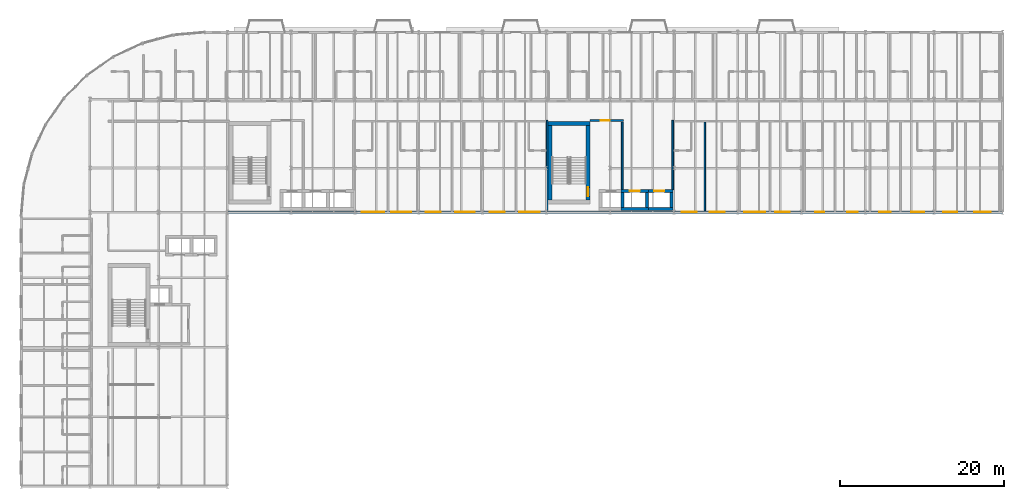
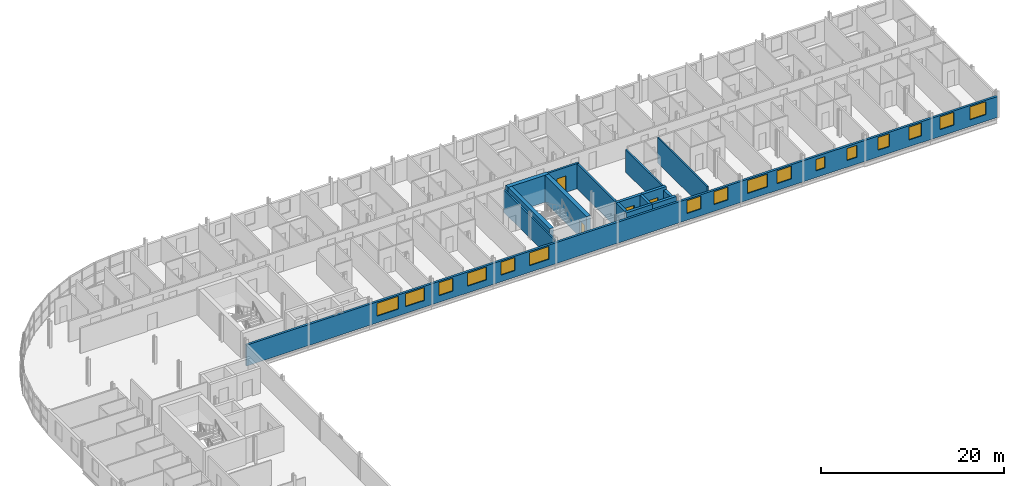
# One storey, part 25 of 36: 16 walls, 16 windows, 4 doors, 20 openings.
"""IFC4 building model written with IfcOpenShell, lengths in metres."""

from ifc_helpers import new_model, si_unit, direction, frame, frame_2d, origin, place, context, subcontext, project, spatial, rectangle, extrude, material, layer, layer_set, type_object, element, fill, save


model = new_model("IFC4")

# Units and contexts
model_context = context("Model", 3, precision=1e-05, world=origin(), true_north=direction((0.0, 1.0)))
body_context = subcontext(model_context, "Body", "Model", "MODEL_VIEW")
ifc_project = project(units=[si_unit("LENGTHUNIT", "METRE"), si_unit("AREAUNIT", "SQUARE_METRE"), si_unit("VOLUMEUNIT", "CUBIC_METRE"), si_unit("PLANEANGLEUNIT", "RADIAN"), si_unit("MASSUNIT", "GRAM", prefix="KILO")], contexts=[model_context])

# Site, building, storey
site_placement = place(None, origin())
site = spatial("IfcSite", under=ifc_project, at=site_placement, CompositionType="ELEMENT")
building_placement = place(site_placement, origin())
building = spatial("IfcBuilding", under=site, at=building_placement, Name="Sefraquen Railside Congress Hotel", CompositionType="ELEMENT")
storey_placement = place(building_placement, frame((0.0, 0.0, 28.199951171875)))
storey = spatial("IfcBuildingStorey", under=building, at=storey_placement, Name="L06", CompositionType="ELEMENT", Elevation=28.199951171875)

# Wall, opening, door
ifc_material_1 = material(Name="Concrete C50/60", Category="concrete")
ifc_layer_1 = layer(ifc_material_1, 0.35009765625)
ifc_layer_set_1 = layer_set([ifc_layer_1], Name="Concrete C50/60")
wall_type_1 = type_object("IfcWallType", Name="TW-CW-350", PredefinedType="SHEAR", material=ifc_layer_set_1)
wall_1_placement = place(storey_placement, frame((73.330078125, 98.594970703125, 0.0), z_axis=(0.0, 0.0, 1.0), x_axis=(1.0, 0.0, 0.0)))
wall_1 = element("IfcWall", 1, at=wall_1_placement, inside=storey, type_object=wall_type_1, Name="Lift PL-05 shaft wall N L06", PredefinedType="SHEAR", context=body_context, shape_type="SweptSolid", body=[
    extrude(rectangle(XDim=3.33984375, YDim=0.35009765625, at=frame_2d((1.669921875, 0.0))), origin(), (0.0, 0.0, 1.0), 3.360107421875),
])
opening_1_placement = place(wall_1_placement, frame((1.044921875, 0.0, 0.0)))
opening_1 = element("IfcOpeningElement", 2, at=opening_1_placement, cuts=wall_1, Name="Opening LD-02", PredefinedType="OPENING", context=body_context, shape_type="SweptSolid", body=[
    extrude(rectangle(XDim=1.25, YDim=2.25, at=frame_2d((0.625, 1.125))), frame((0.0, 0.18505859375, 0.0), z_axis=(0.0, -1.0, 0.0), x_axis=(1.0, 0.0, 0.0)), (0.0, 0.0, 1.0), 0.3701171875),
])
ifc_material_2 = material(Name="Brushed stainless steel", Category="steel")
door_type_1 = type_object("IfcDoorType", Name="TD-LD-02", OperationType="NOTDEFINED", PredefinedType="DOOR", material=ifc_material_2)
door_1_placement = place(opening_1_placement, origin())
door_1 = element("IfcDoor", 3, at=door_1_placement, inside=storey, type_object=door_type_1, Name="Lift landing door PL-05 L06", OperationType="SLIDING_TO_LEFT", OverallHeight=2.25, OverallWidth=1.25, PredefinedType="DOOR", context=body_context, shape_type="SweptSolid", body=[
    extrude(rectangle(XDim=1.25, YDim=2.25, at=frame_2d((0.625, 1.125))), frame((0.0, 0.02490234375, 0.0), z_axis=(0.0, -1.0, 0.0), x_axis=(1.0, 0.0, 0.0)), (0.0, 0.0, 1.0), 0.050048828125),
])
fill(opening_1, door_1)

# Walls
wall_2_placement = place(storey_placement, frame((73.330078125, 96.405029296875, 0.0), z_axis=(0.0, 0.0, 1.0), x_axis=(1.0, 0.0, 0.0)))
element("IfcWall", 4, at=wall_2_placement, inside=storey, type_object=wall_type_1, Name="Lift PL-05 shaft wall S L06", PredefinedType="SHEAR", context=body_context, shape_type="SweptSolid", body=[
    extrude(rectangle(XDim=3.33984375, YDim=0.35009765625, at=frame_2d((1.669921875, 0.0))), origin(), (0.0, 0.0, 1.0), 3.360107421875),
])
for number, where, z_axis, x_axis, name in (
    (5, (73.5048828125, 96.580078125, 0.0), (0.0, 0.0, 1.0), (0.0, 1.0, 0.0), "Lift PL-05 shaft wall W L06"),
    (6, (76.4951171875, 96.580078125, 0.0), (0.0, 0.0, 1.0), (0.0, 1.0, 0.0), "Lift PL-05 shaft wall E L06"),
):
    element("IfcWall", number, at=place(storey_placement, frame(where, z_axis=z_axis, x_axis=x_axis)), inside=storey, type_object=wall_type_1, Name=name, PredefinedType="SHEAR", context=body_context, shape_type="SweptSolid", body=[
        extrude(rectangle(XDim=1.83984375, YDim=0.35009765625, at=frame_2d((0.919921875, 0.0))), origin(), (0.0, 0.0, 1.0), 3.360107421875),
    ])

# Wall, opening, door
wall_3_placement = place(storey_placement, frame((76.669921875, 98.594970703125, 0.0), z_axis=(0.0, 0.0, 1.0), x_axis=(1.0, 0.0, 0.0)))
wall_3 = element("IfcWall", 7, at=wall_3_placement, inside=storey, type_object=wall_type_1, Name="Lift PL-06 shaft wall N L06", PredefinedType="SHEAR", context=body_context, shape_type="SweptSolid", body=[
    extrude(rectangle(XDim=2.989990234375, YDim=0.35009765625, at=frame_2d((1.4951171875, 0.0))), origin(), (0.0, 0.0, 1.0), 3.360107421875),
])
opening_2_placement = place(wall_3_placement, frame((0.695068359375, 0.0, 0.0)))
opening_2 = element("IfcOpeningElement", 8, at=opening_2_placement, cuts=wall_3, Name="Opening LD-02", PredefinedType="OPENING", context=body_context, shape_type="SweptSolid", body=[
    extrude(rectangle(XDim=1.25, YDim=2.25, at=frame_2d((0.625, 1.125))), frame((0.0, 0.18505859375, 0.0), z_axis=(0.0, -1.0, 0.0), x_axis=(1.0, 0.0, 0.0)), (0.0, 0.0, 1.0), 0.3701171875),
])
door_2_placement = place(opening_2_placement, origin())
door_2 = element("IfcDoor", 9, at=door_2_placement, inside=storey, type_object=door_type_1, Name="Lift landing door PL-06 L06", OperationType="SLIDING_TO_LEFT", OverallHeight=2.25, OverallWidth=1.25, PredefinedType="DOOR", context=body_context, shape_type="SweptSolid", body=[
    extrude(rectangle(XDim=1.25, YDim=2.25, at=frame_2d((0.625, 1.125))), frame((0.0, 0.02490234375, 0.0), z_axis=(0.0, -1.0, 0.0), x_axis=(1.0, 0.0, 0.0)), (0.0, 0.0, 1.0), 0.050048828125),
])
fill(opening_2, door_2)

# Walls
wall_4_placement = place(storey_placement, frame((76.669921875, 96.405029296875, 0.0), z_axis=(0.0, 0.0, 1.0), x_axis=(1.0, 0.0, 0.0)))
element("IfcWall", 10, at=wall_4_placement, inside=storey, type_object=wall_type_1, Name="Lift PL-06 shaft wall S L06", PredefinedType="SHEAR", context=body_context, shape_type="SweptSolid", body=[
    extrude(rectangle(XDim=2.989990234375, YDim=0.35009765625, at=frame_2d((1.4951171875, 0.0))), origin(), (0.0, 0.0, 1.0), 3.360107421875),
])
wall_5_placement = place(storey_placement, frame((79.485107421875, 96.580078125, 0.0), z_axis=(0.0, 0.0, 1.0), x_axis=(0.0, 1.0, 0.0)))
element("IfcWall", 11, at=wall_5_placement, inside=storey, type_object=wall_type_1, Name="Lift PL-06 shaft wall E L06", PredefinedType="SHEAR", context=body_context, shape_type="SweptSolid", body=[
    extrude(rectangle(XDim=1.83984375, YDim=0.35009765625, at=frame_2d((0.919921875, 0.0))), origin(), (0.0, 0.0, 1.0), 2.989990234375),
])
ifc_layer_2 = layer(ifc_material_1, 0.5)
ifc_layer_set_2 = layer_set([ifc_layer_2], Name="Concrete C50/60")
wall_type_2 = type_object("IfcWallType", Name="TW-CW-500", PredefinedType="SHEAR", material=ifc_layer_set_2)
wall_6_placement = place(storey_placement, frame((64.39990234375, 106.862060546875, 0.0), z_axis=(0.0, 0.0, 1.0), x_axis=(1.0, 0.0, 0.0)))
element("IfcWall", 12, at=wall_6_placement, inside=storey, type_object=wall_type_2, Name="Core shear wall ST-H03 N L06", PredefinedType="SHEAR", context=body_context, shape_type="SweptSolid", body=[
    extrude(rectangle(XDim=5.16015625, YDim=0.5, at=frame_2d((2.580078125, 0.0))), origin(), (0.0, 0.0, 1.0), 3.60009765625),
])
wall_7_placement = place(storey_placement, frame((64.64990234375, 97.5, 0.0), z_axis=(0.0, 0.0, 1.0), x_axis=(0.0, 1.0, 0.0)))
element("IfcWall", 13, at=wall_7_placement, inside=storey, type_object=wall_type_2, Name="Core shear wall ST-H03 W L06", PredefinedType="SHEAR", context=body_context, shape_type="SweptSolid", body=[
    extrude(rectangle(XDim=9.112060546875, YDim=0.5, at=frame_2d((4.55615234375, 0.0))), origin(), (0.0, 0.0, 1.0), 3.60009765625),
])

# Wall, opening, door
wall_8_placement = place(storey_placement, frame((69.31005859375, 97.5, 0.0), z_axis=(0.0, 0.0, 1.0), x_axis=(0.0, 1.0, 0.0)))
wall_8 = element("IfcWall", 14, at=wall_8_placement, inside=storey, type_object=wall_type_2, Name="Core shear wall ST-H03 E L06", PredefinedType="SHEAR", context=body_context, shape_type="SweptSolid", body=[
    extrude(rectangle(XDim=9.112060546875, YDim=0.5, at=frame_2d((4.55615234375, 0.0))), origin(), (0.0, 0.0, 1.0), 3.60009765625),
])
opening_3_placement = place(wall_8_placement, frame((0.43994140625, 0.0, 0.0)))
opening_3 = element("IfcOpeningElement", 15, at=opening_3_placement, cuts=wall_8, Name="Opening FD-04", PredefinedType="OPENING", context=body_context, shape_type="SweptSolid", body=[
    extrude(rectangle(XDim=1.10009765625, YDim=2.199951171875, at=frame_2d((0.550048828125, 1.10009765625))), frame((0.0, 0.260009765625, 0.0), z_axis=(0.0, -1.0, 0.0), x_axis=(1.0, 0.0, 0.0)), (0.0, 0.0, 1.0), 0.52001953125),
])
ifc_material_3 = material(Name="Fire-rated steel", Category="steel")
door_type_2 = type_object("IfcDoorType", Name="TD-FD-04", OperationType="NOTDEFINED", PredefinedType="DOOR", material=ifc_material_3)
door_3_placement = place(opening_3_placement, origin())
door_3 = element("IfcDoor", 16, at=door_3_placement, inside=storey, type_object=door_type_2, Name="Pressurized stair ST-H03 fire door L06", OperationType="SINGLE_SWING_RIGHT", OverallHeight=2.199951171875, OverallWidth=1.10009765625, PredefinedType="DOOR", context=body_context, shape_type="SweptSolid", body=[
    extrude(rectangle(XDim=1.10009765625, YDim=2.199951171875, at=frame_2d((0.550048828125, 1.10009765625))), frame((0.0, 0.02490234375, 0.0), z_axis=(0.0, -1.0, 0.0), x_axis=(1.0, 0.0, 0.0)), (0.0, 0.0, 1.0), 0.050048828125),
])
fill(opening_3, door_3)

# Wall, openings, windows
ifc_material_4 = material(Name="Ochre Rabat calcarenite limestone and Concrete C40/50 backing", Category="masonry")
ifc_layer_3 = layer(ifc_material_4, 0.280029296875)
ifc_layer_set_3 = layer_set([ifc_layer_3], Name="Ochre Rabat calcarenite limestone and Concrete C40/50 backing")
wall_type_3 = type_object("IfcWallType", Name="TW-EW-280", PredefinedType="STANDARD", material=ifc_layer_set_3)
wall_9_placement = place(storey_placement, frame((25.199951171875, 96.0, 0.0), z_axis=(0.0, 0.0, 1.0), x_axis=(1.0, 0.0, 0.0)))
wall_9 = element("IfcWall", 17, at=wall_9_placement, inside=storey, type_object=wall_type_3, Name="Hotel L06 south courtyard facade wall", PredefinedType="STANDARD", context=body_context, shape_type="SweptSolid", body=[
    extrude(rectangle(XDim=94.800048828125, YDim=0.280029296875, at=frame_2d((47.39990234375, 0.0))), origin(), (0.0, 0.0, 1.0), 2.800048828125),
])
opening_4_placement = place(wall_9_placement, frame((16.4541015625, 0.0, 0.89990234375)))
opening_4 = element("IfcOpeningElement", 18, at=opening_4_placement, cuts=wall_9, Name="Opening WN-11", PredefinedType="OPENING", context=body_context, shape_type="SweptSolid", body=[
    extrude(rectangle(XDim=2.699951171875, YDim=1.719970703125, at=frame_2d((1.35009765625, 0.85986328125))), frame((0.0, 0.14990234375, 0.0), z_axis=(0.0, -1.0, 0.0), x_axis=(1.0, 0.0, 0.0)), (0.0, 0.0, 1.0), 0.300048828125),
])
opening_5_placement = place(wall_9_placement, frame((20.068115234375, 0.0, 0.89990234375)))
opening_5 = element("IfcOpeningElement", 19, at=opening_5_placement, cuts=wall_9, Name="Opening WN-12", PredefinedType="OPENING", context=body_context, shape_type="SweptSolid", body=[
    extrude(rectangle(XDim=2.388916015625, YDim=1.719970703125, at=frame_2d((1.1943359375, 0.85986328125))), frame((0.0, 0.14990234375, 0.0), z_axis=(0.0, -1.0, 0.0), x_axis=(1.0, 0.0, 0.0)), (0.0, 0.0, 1.0), 0.300048828125),
])
opening_6_placement = place(wall_9_placement, frame((24.277099609375, 0.0, 0.89990234375)))
opening_6 = element("IfcOpeningElement", 20, at=opening_6_placement, cuts=wall_9, Name="Opening WN-13", PredefinedType="OPENING", context=body_context, shape_type="SweptSolid", body=[
    extrude(rectangle(XDim=1.800048828125, YDim=1.719970703125, at=frame_2d((0.89990234375, 0.85986328125))), frame((0.0, 0.14990234375, 0.0), z_axis=(0.0, -1.0, 0.0), x_axis=(1.0, 0.0, 0.0)), (0.0, 0.0, 1.0), 0.300048828125),
])
opening_7_placement = place(wall_9_placement, frame((27.885009765625, 0.0, 0.89990234375)))
opening_7 = element("IfcOpeningElement", 21, at=opening_7_placement, cuts=wall_9, Name="Opening WN-14", PredefinedType="OPENING", context=body_context, shape_type="SweptSolid", body=[
    extrude(rectangle(XDim=2.387939453125, YDim=1.719970703125, at=frame_2d((1.19384765625, 0.85986328125))), frame((0.0, 0.14990234375, 0.0), z_axis=(0.0, -1.0, 0.0), x_axis=(1.0, 0.0, 0.0)), (0.0, 0.0, 1.0), 0.300048828125),
])
opening_8_placement = place(wall_9_placement, frame((32.093017578125, 0.0, 0.89990234375)))
opening_8 = element("IfcOpeningElement", 22, at=opening_8_placement, cuts=wall_9, Name="Opening WN-15", PredefinedType="OPENING", context=body_context, shape_type="SweptSolid", body=[
    extrude(rectangle(XDim=1.800048828125, YDim=1.719970703125, at=frame_2d((0.89990234375, 0.85986328125))), frame((0.0, 0.14990234375, 0.0), z_axis=(0.0, -1.0, 0.0), x_axis=(1.0, 0.0, 0.0)), (0.0, 0.0, 1.0), 0.300048828125),
])
opening_9_placement = place(wall_9_placement, frame((35.701904296875, 0.0, 0.89990234375)))
opening_9 = element("IfcOpeningElement", 23, at=opening_9_placement, cuts=wall_9, Name="Opening WN-16", PredefinedType="OPENING", context=body_context, shape_type="SweptSolid", body=[
    extrude(rectangle(XDim=2.488037109375, YDim=1.719970703125, at=frame_2d((1.244140625, 0.85986328125))), frame((0.0, 0.14990234375, 0.0), z_axis=(0.0, -1.0, 0.0), x_axis=(1.0, 0.0, 0.0)), (0.0, 0.0, 1.0), 0.300048828125),
])
opening_10_placement = place(wall_9_placement, frame((55.56005859375, 0.0, 0.89990234375)))
opening_10 = element("IfcOpeningElement", 24, at=opening_10_placement, cuts=wall_9, Name="Opening WN-17", PredefinedType="OPENING", context=body_context, shape_type="SweptSolid", body=[
    extrude(rectangle(XDim=1.800048828125, YDim=1.719970703125, at=frame_2d((0.89990234375, 0.85986328125))), frame((0.0, 0.14990234375, 0.0), z_axis=(0.0, -1.0, 0.0), x_axis=(1.0, 0.0, 0.0)), (0.0, 0.0, 1.0), 0.300048828125),
])
opening_11_placement = place(wall_9_placement, frame((58.985107421875, 0.0, 0.89990234375)))
opening_11 = element("IfcOpeningElement", 25, at=opening_11_placement, cuts=wall_9, Name="Opening WN-18", PredefinedType="OPENING", context=body_context, shape_type="SweptSolid", body=[
    extrude(rectangle(XDim=1.800048828125, YDim=1.719970703125, at=frame_2d((0.89990234375, 0.85986328125))), frame((0.0, 0.14990234375, 0.0), z_axis=(0.0, -1.0, 0.0), x_axis=(1.0, 0.0, 0.0)), (0.0, 0.0, 1.0), 0.300048828125),
])
opening_12_placement = place(wall_9_placement, frame((63.2099609375, 0.0, 0.89990234375)))
opening_12 = element("IfcOpeningElement", 26, at=opening_12_placement, cuts=wall_9, Name="Opening WN-19", PredefinedType="OPENING", context=body_context, shape_type="SweptSolid", body=[
    extrude(rectangle(XDim=2.52490234375, YDim=1.719970703125, at=frame_2d((1.262451171875, 0.85986328125))), frame((0.0, 0.14990234375, 0.0), z_axis=(0.0, -1.0, 0.0), x_axis=(1.0, 0.0, 0.0)), (0.0, 0.0, 1.0), 0.300048828125),
])
opening_13_placement = place(wall_9_placement, frame((66.955078125, 0.0, 0.89990234375)))
opening_13 = element("IfcOpeningElement", 27, at=opening_13_placement, cuts=wall_9, Name="Opening WN-20", PredefinedType="OPENING", context=body_context, shape_type="SweptSolid", body=[
    extrude(rectangle(XDim=1.800048828125, YDim=1.719970703125, at=frame_2d((0.89990234375, 0.85986328125))), frame((0.0, 0.14990234375, 0.0), z_axis=(0.0, -1.0, 0.0), x_axis=(1.0, 0.0, 0.0)), (0.0, 0.0, 1.0), 0.300048828125),
])
opening_14_placement = place(wall_9_placement, frame((71.89208984375, 0.0, 0.89990234375)))
opening_14 = element("IfcOpeningElement", 28, at=opening_14_placement, cuts=wall_9, Name="Opening WN-21", PredefinedType="OPENING", context=body_context, shape_type="SweptSolid", body=[
    extrude(rectangle(XDim=1.10009765625, YDim=1.5, at=frame_2d((0.550048828125, 0.75))), frame((0.0, 0.14990234375, 0.0), z_axis=(0.0, -1.0, 0.0), x_axis=(1.0, 0.0, 0.0)), (0.0, 0.0, 1.0), 0.300048828125),
])
opening_15_placement = place(wall_9_placement, frame((75.802001953125, 0.0, 0.89990234375)))
opening_15 = element("IfcOpeningElement", 29, at=opening_15_placement, cuts=wall_9, Name="Opening WN-22", PredefinedType="OPENING", context=body_context, shape_type="SweptSolid", body=[
    extrude(rectangle(XDim=1.25, YDim=1.60009765625, at=frame_2d((0.625, 0.800048828125))), frame((0.0, 0.14990234375, 0.0), z_axis=(0.0, -1.0, 0.0), x_axis=(1.0, 0.0, 0.0)), (0.0, 0.0, 1.0), 0.300048828125),
])
opening_16_placement = place(wall_9_placement, frame((79.7119140625, 0.0, 0.89990234375)))
opening_16 = element("IfcOpeningElement", 30, at=opening_16_placement, cuts=wall_9, Name="Opening WN-23", PredefinedType="OPENING", context=body_context, shape_type="SweptSolid", body=[
    extrude(rectangle(XDim=1.39990234375, YDim=1.699951171875, at=frame_2d((0.699951171875, 0.85009765625))), frame((0.0, 0.14990234375, 0.0), z_axis=(0.0, -1.0, 0.0), x_axis=(1.0, 0.0, 0.0)), (0.0, 0.0, 1.0), 0.300048828125),
])
opening_17_placement = place(wall_9_placement, frame((83.596923828125, 0.0, 0.89990234375)))
opening_17 = element("IfcOpeningElement", 31, at=opening_17_placement, cuts=wall_9, Name="Opening WN-24", PredefinedType="OPENING", context=body_context, shape_type="SweptSolid", body=[
    extrude(rectangle(XDim=1.60009765625, YDim=1.719970703125, at=frame_2d((0.800048828125, 0.85986328125))), frame((0.0, 0.14990234375, 0.0), z_axis=(0.0, -1.0, 0.0), x_axis=(1.0, 0.0, 0.0)), (0.0, 0.0, 1.0), 0.300048828125),
])
opening_18_placement = place(wall_9_placement, frame((87.507080078125, 0.0, 0.89990234375)))
opening_18 = element("IfcOpeningElement", 32, at=opening_18_placement, cuts=wall_9, Name="Opening WN-25", PredefinedType="OPENING", context=body_context, shape_type="SweptSolid", body=[
    extrude(rectangle(XDim=1.75, YDim=1.719970703125, at=frame_2d((0.875, 0.85986328125))), frame((0.0, 0.14990234375, 0.0), z_axis=(0.0, -1.0, 0.0), x_axis=(1.0, 0.0, 0.0)), (0.0, 0.0, 1.0), 0.300048828125),
])
opening_19_placement = place(wall_9_placement, frame((91.327880859375, 0.0, 0.89990234375)))
opening_19 = element("IfcOpeningElement", 33, at=opening_19_placement, cuts=wall_9, Name="Opening WN-26", PredefinedType="OPENING", context=body_context, shape_type="SweptSolid", body=[
    extrude(rectangle(XDim=2.0, YDim=1.719970703125, at=frame_2d((1.0, 0.85986328125))), frame((0.0, 0.14990234375, 0.0), z_axis=(0.0, -1.0, 0.0), x_axis=(1.0, 0.0, 0.0)), (0.0, 0.0, 1.0), 0.300048828125),
])
ifc_material_5 = material(Name="Solar-control low-E double glazing in bronze-anodised frame", Category="glass")
window_type_1 = type_object("IfcWindowType", Name="TWN-W-11", PartitioningType="DOUBLE_PANEL_VERTICAL", PredefinedType="WINDOW", material=ifc_material_5)
window_1_placement = place(opening_4_placement, origin())
window_1 = element("IfcWindow", 34, at=window_1_placement, inside=storey, type_object=window_type_1, Name="Guest room courtyard window SP-L06-RM-023", OverallHeight=1.719970703125, OverallWidth=2.699951171875, PartitioningType="DOUBLE_PANEL_VERTICAL", PredefinedType="WINDOW", context=body_context, shape_type="SweptSolid", body=[
    extrude(rectangle(XDim=2.699951171875, YDim=1.719970703125, at=frame_2d((1.35009765625, 0.85986328125))), frame((0.0, 0.030029296875, 0.0), z_axis=(0.0, -1.0, 0.0), x_axis=(1.0, 0.0, 0.0)), (0.0, 0.0, 1.0), 0.06005859375),
])
fill(opening_4, window_1)
window_type_2 = type_object("IfcWindowType", Name="TWN-W-12", PartitioningType="DOUBLE_PANEL_VERTICAL", PredefinedType="WINDOW", material=ifc_material_5)
window_2_placement = place(opening_5_placement, origin())
window_2 = element("IfcWindow", 35, at=window_2_placement, inside=storey, type_object=window_type_2, Name="Guest room courtyard window SP-L06-RM-024", OverallHeight=1.719970703125, OverallWidth=2.388916015625, PartitioningType="DOUBLE_PANEL_VERTICAL", PredefinedType="WINDOW", context=body_context, shape_type="SweptSolid", body=[
    extrude(rectangle(XDim=2.388916015625, YDim=1.719970703125, at=frame_2d((1.1943359375, 0.85986328125))), frame((0.0, 0.030029296875, 0.0), z_axis=(0.0, -1.0, 0.0), x_axis=(1.0, 0.0, 0.0)), (0.0, 0.0, 1.0), 0.06005859375),
])
fill(opening_5, window_2)
window_type_3 = type_object("IfcWindowType", Name="TWN-W-13", PartitioningType="DOUBLE_PANEL_VERTICAL", PredefinedType="WINDOW", material=ifc_material_5)
window_3_placement = place(opening_6_placement, origin())
window_3 = element("IfcWindow", 36, at=window_3_placement, inside=storey, type_object=window_type_3, Name="Guest room courtyard window SP-L06-RM-025", OverallHeight=1.719970703125, OverallWidth=1.800048828125, PartitioningType="DOUBLE_PANEL_VERTICAL", PredefinedType="WINDOW", context=body_context, shape_type="SweptSolid", body=[
    extrude(rectangle(XDim=1.800048828125, YDim=1.719970703125, at=frame_2d((0.89990234375, 0.85986328125))), frame((0.0, 0.030029296875, 0.0), z_axis=(0.0, -1.0, 0.0), x_axis=(1.0, 0.0, 0.0)), (0.0, 0.0, 1.0), 0.06005859375),
])
fill(opening_6, window_3)
window_type_4 = type_object("IfcWindowType", Name="TWN-W-14", PartitioningType="DOUBLE_PANEL_VERTICAL", PredefinedType="WINDOW", material=ifc_material_5)
window_4_placement = place(opening_7_placement, origin())
window_4 = element("IfcWindow", 37, at=window_4_placement, inside=storey, type_object=window_type_4, Name="Guest room courtyard window SP-L06-RM-026", OverallHeight=1.719970703125, OverallWidth=2.387939453125, PartitioningType="DOUBLE_PANEL_VERTICAL", PredefinedType="WINDOW", context=body_context, shape_type="SweptSolid", body=[
    extrude(rectangle(XDim=2.387939453125, YDim=1.719970703125, at=frame_2d((1.19384765625, 0.85986328125))), frame((0.0, 0.030029296875, 0.0), z_axis=(0.0, -1.0, 0.0), x_axis=(1.0, 0.0, 0.0)), (0.0, 0.0, 1.0), 0.06005859375),
])
fill(opening_7, window_4)
window_type_5 = type_object("IfcWindowType", Name="TWN-W-15", PartitioningType="DOUBLE_PANEL_VERTICAL", PredefinedType="WINDOW", material=ifc_material_5)
window_5_placement = place(opening_8_placement, origin())
window_5 = element("IfcWindow", 38, at=window_5_placement, inside=storey, type_object=window_type_5, Name="Guest room courtyard window SP-L06-RM-027", OverallHeight=1.719970703125, OverallWidth=1.800048828125, PartitioningType="DOUBLE_PANEL_VERTICAL", PredefinedType="WINDOW", context=body_context, shape_type="SweptSolid", body=[
    extrude(rectangle(XDim=1.800048828125, YDim=1.719970703125, at=frame_2d((0.89990234375, 0.85986328125))), frame((0.0, 0.030029296875, 0.0), z_axis=(0.0, -1.0, 0.0), x_axis=(1.0, 0.0, 0.0)), (0.0, 0.0, 1.0), 0.06005859375),
])
fill(opening_8, window_5)
window_type_6 = type_object("IfcWindowType", Name="TWN-W-16", PartitioningType="DOUBLE_PANEL_VERTICAL", PredefinedType="WINDOW", material=ifc_material_5)
window_6_placement = place(opening_9_placement, origin())
window_6 = element("IfcWindow", 39, at=window_6_placement, inside=storey, type_object=window_type_6, Name="Guest room courtyard window SP-L06-RM-028", OverallHeight=1.719970703125, OverallWidth=2.488037109375, PartitioningType="DOUBLE_PANEL_VERTICAL", PredefinedType="WINDOW", context=body_context, shape_type="SweptSolid", body=[
    extrude(rectangle(XDim=2.488037109375, YDim=1.719970703125, at=frame_2d((1.244140625, 0.85986328125))), frame((0.0, 0.030029296875, 0.0), z_axis=(0.0, -1.0, 0.0), x_axis=(1.0, 0.0, 0.0)), (0.0, 0.0, 1.0), 0.06005859375),
])
fill(opening_9, window_6)
window_type_7 = type_object("IfcWindowType", Name="TWN-W-17", PartitioningType="DOUBLE_PANEL_VERTICAL", PredefinedType="WINDOW", material=ifc_material_5)
window_7_placement = place(opening_10_placement, origin())
window_7 = element("IfcWindow", 40, at=window_7_placement, inside=storey, type_object=window_type_7, Name="Guest room courtyard window SP-L06-RM-029", OverallHeight=1.719970703125, OverallWidth=1.800048828125, PartitioningType="DOUBLE_PANEL_VERTICAL", PredefinedType="WINDOW", context=body_context, shape_type="SweptSolid", body=[
    extrude(rectangle(XDim=1.800048828125, YDim=1.719970703125, at=frame_2d((0.89990234375, 0.85986328125))), frame((0.0, 0.030029296875, 0.0), z_axis=(0.0, -1.0, 0.0), x_axis=(1.0, 0.0, 0.0)), (0.0, 0.0, 1.0), 0.06005859375),
])
fill(opening_10, window_7)
window_type_8 = type_object("IfcWindowType", Name="TWN-W-18", PartitioningType="DOUBLE_PANEL_VERTICAL", PredefinedType="WINDOW", material=ifc_material_5)
window_8_placement = place(opening_11_placement, origin())
window_8 = element("IfcWindow", 41, at=window_8_placement, inside=storey, type_object=window_type_8, Name="Guest room courtyard window SP-L06-RM-030", OverallHeight=1.719970703125, OverallWidth=1.800048828125, PartitioningType="DOUBLE_PANEL_VERTICAL", PredefinedType="WINDOW", context=body_context, shape_type="SweptSolid", body=[
    extrude(rectangle(XDim=1.800048828125, YDim=1.719970703125, at=frame_2d((0.89990234375, 0.85986328125))), frame((0.0, 0.030029296875, 0.0), z_axis=(0.0, -1.0, 0.0), x_axis=(1.0, 0.0, 0.0)), (0.0, 0.0, 1.0), 0.06005859375),
])
fill(opening_11, window_8)
window_type_9 = type_object("IfcWindowType", Name="TWN-W-19", PartitioningType="DOUBLE_PANEL_VERTICAL", PredefinedType="WINDOW", material=ifc_material_5)
window_9_placement = place(opening_12_placement, origin())
window_9 = element("IfcWindow", 42, at=window_9_placement, inside=storey, type_object=window_type_9, Name="Guest room courtyard window SP-L06-RM-031", OverallHeight=1.719970703125, OverallWidth=2.52490234375, PartitioningType="DOUBLE_PANEL_VERTICAL", PredefinedType="WINDOW", context=body_context, shape_type="SweptSolid", body=[
    extrude(rectangle(XDim=2.52490234375, YDim=1.719970703125, at=frame_2d((1.262451171875, 0.85986328125))), frame((0.0, 0.030029296875, 0.0), z_axis=(0.0, -1.0, 0.0), x_axis=(1.0, 0.0, 0.0)), (0.0, 0.0, 1.0), 0.06005859375),
])
fill(opening_12, window_9)
window_type_10 = type_object("IfcWindowType", Name="TWN-W-20", PartitioningType="DOUBLE_PANEL_VERTICAL", PredefinedType="WINDOW", material=ifc_material_5)
window_10_placement = place(opening_13_placement, origin())
window_10 = element("IfcWindow", 43, at=window_10_placement, inside=storey, type_object=window_type_10, Name="Guest room courtyard window SP-L06-RM-032", OverallHeight=1.719970703125, OverallWidth=1.800048828125, PartitioningType="DOUBLE_PANEL_VERTICAL", PredefinedType="WINDOW", context=body_context, shape_type="SweptSolid", body=[
    extrude(rectangle(XDim=1.800048828125, YDim=1.719970703125, at=frame_2d((0.89990234375, 0.85986328125))), frame((0.0, 0.030029296875, 0.0), z_axis=(0.0, -1.0, 0.0), x_axis=(1.0, 0.0, 0.0)), (0.0, 0.0, 1.0), 0.06005859375),
])
fill(opening_13, window_10)
window_type_11 = type_object("IfcWindowType", Name="TWN-W-21", PartitioningType="DOUBLE_PANEL_VERTICAL", PredefinedType="WINDOW", material=ifc_material_5)
window_11_placement = place(opening_14_placement, origin())
window_11 = element("IfcWindow", 44, at=window_11_placement, inside=storey, type_object=window_type_11, Name="Guest room courtyard window SP-L06-RM-033", OverallHeight=1.5, OverallWidth=1.10009765625, PartitioningType="DOUBLE_PANEL_VERTICAL", PredefinedType="WINDOW", context=body_context, shape_type="SweptSolid", body=[
    extrude(rectangle(XDim=1.10009765625, YDim=1.5, at=frame_2d((0.550048828125, 0.75))), frame((0.0, 0.030029296875, 0.0), z_axis=(0.0, -1.0, 0.0), x_axis=(1.0, 0.0, 0.0)), (0.0, 0.0, 1.0), 0.06005859375),
])
fill(opening_14, window_11)
window_type_12 = type_object("IfcWindowType", Name="TWN-W-22", PartitioningType="DOUBLE_PANEL_VERTICAL", PredefinedType="WINDOW", material=ifc_material_5)
window_12_placement = place(opening_15_placement, origin())
window_12 = element("IfcWindow", 45, at=window_12_placement, inside=storey, type_object=window_type_12, Name="Guest room courtyard window SP-L06-RM-034", OverallHeight=1.60009765625, OverallWidth=1.25, PartitioningType="DOUBLE_PANEL_VERTICAL", PredefinedType="WINDOW", context=body_context, shape_type="SweptSolid", body=[
    extrude(rectangle(XDim=1.25, YDim=1.60009765625, at=frame_2d((0.625, 0.800048828125))), frame((0.0, 0.030029296875, 0.0), z_axis=(0.0, -1.0, 0.0), x_axis=(1.0, 0.0, 0.0)), (0.0, 0.0, 1.0), 0.06005859375),
])
fill(opening_15, window_12)
window_type_13 = type_object("IfcWindowType", Name="TWN-W-23", PartitioningType="DOUBLE_PANEL_VERTICAL", PredefinedType="WINDOW", material=ifc_material_5)
window_13_placement = place(opening_16_placement, origin())
window_13 = element("IfcWindow", 46, at=window_13_placement, inside=storey, type_object=window_type_13, Name="Guest room courtyard window SP-L06-RM-035", OverallHeight=1.699951171875, OverallWidth=1.39990234375, PartitioningType="DOUBLE_PANEL_VERTICAL", PredefinedType="WINDOW", context=body_context, shape_type="SweptSolid", body=[
    extrude(rectangle(XDim=1.39990234375, YDim=1.699951171875, at=frame_2d((0.699951171875, 0.85009765625))), frame((0.0, 0.030029296875, 0.0), z_axis=(0.0, -1.0, 0.0), x_axis=(1.0, 0.0, 0.0)), (0.0, 0.0, 1.0), 0.06005859375),
])
fill(opening_16, window_13)
window_type_14 = type_object("IfcWindowType", Name="TWN-W-24", PartitioningType="DOUBLE_PANEL_VERTICAL", PredefinedType="WINDOW", material=ifc_material_5)
window_14_placement = place(opening_17_placement, origin())
window_14 = element("IfcWindow", 47, at=window_14_placement, inside=storey, type_object=window_type_14, Name="Guest room courtyard window SP-L06-RM-036", OverallHeight=1.719970703125, OverallWidth=1.60009765625, PartitioningType="DOUBLE_PANEL_VERTICAL", PredefinedType="WINDOW", context=body_context, shape_type="SweptSolid", body=[
    extrude(rectangle(XDim=1.60009765625, YDim=1.719970703125, at=frame_2d((0.800048828125, 0.85986328125))), frame((0.0, 0.030029296875, 0.0), z_axis=(0.0, -1.0, 0.0), x_axis=(1.0, 0.0, 0.0)), (0.0, 0.0, 1.0), 0.06005859375),
])
fill(opening_17, window_14)
window_type_15 = type_object("IfcWindowType", Name="TWN-W-25", PartitioningType="DOUBLE_PANEL_VERTICAL", PredefinedType="WINDOW", material=ifc_material_5)
window_15_placement = place(opening_18_placement, origin())
window_15 = element("IfcWindow", 48, at=window_15_placement, inside=storey, type_object=window_type_15, Name="Guest room courtyard window SP-L06-RM-037", OverallHeight=1.719970703125, OverallWidth=1.75, PartitioningType="DOUBLE_PANEL_VERTICAL", PredefinedType="WINDOW", context=body_context, shape_type="SweptSolid", body=[
    extrude(rectangle(XDim=1.75, YDim=1.719970703125, at=frame_2d((0.875, 0.85986328125))), frame((0.0, 0.030029296875, 0.0), z_axis=(0.0, -1.0, 0.0), x_axis=(1.0, 0.0, 0.0)), (0.0, 0.0, 1.0), 0.06005859375),
])
fill(opening_18, window_15)
window_type_16 = type_object("IfcWindowType", Name="TWN-W-26", PartitioningType="DOUBLE_PANEL_VERTICAL", PredefinedType="WINDOW", material=ifc_material_5)
window_16_placement = place(opening_19_placement, origin())
window_16 = element("IfcWindow", 49, at=window_16_placement, inside=storey, type_object=window_type_16, Name="Guest room courtyard window SP-L06-RM-038", OverallHeight=1.719970703125, OverallWidth=2.0, PartitioningType="DOUBLE_PANEL_VERTICAL", PredefinedType="WINDOW", context=body_context, shape_type="SweptSolid", body=[
    extrude(rectangle(XDim=2.0, YDim=1.719970703125, at=frame_2d((1.0, 0.85986328125))), frame((0.0, 0.030029296875, 0.0), z_axis=(0.0, -1.0, 0.0), x_axis=(1.0, 0.0, 0.0)), (0.0, 0.0, 1.0), 0.06005859375),
])
fill(opening_19, window_16)

# Wall
ifc_material_6 = material(Name="Concrete C40/50", Category="concrete")
ifc_layer_4 = layer(ifc_material_6, 0.239990234375)
ifc_layer_set_4 = layer_set([ifc_layer_4], Name="Concrete C40/50")
wall_type_4 = type_object("IfcWallType", Name="TW-FW-240", PredefinedType="STANDARD", material=ifc_layer_set_4)
wall_10_placement = place(storey_placement, frame((73.47998046875, 98.780029296875, 0.0), z_axis=(0.0, 0.0, 1.0), x_axis=(0.0, 1.0, 0.0)))
element("IfcWall", 50, at=wall_10_placement, inside=storey, type_object=wall_type_4, Name="Firefighting Lift Lobby FFL-03 east fire wall L06", PredefinedType="STANDARD", context=body_context, shape_type="SweptSolid", body=[
    extrude(rectangle(XDim=8.239990234375, YDim=0.239990234375, at=frame_2d((4.1201171875, 0.0))), origin(), (0.0, 0.0, 1.0), 3.360107421875),
])

# Wall, opening, door
wall_11_placement = place(storey_placement, frame((69.56005859375, 107.199951171875, 0.0), z_axis=(0.0, 0.0, 1.0), x_axis=(1.0, 0.0, 0.0)))
wall_11 = element("IfcWall", 51, at=wall_11_placement, inside=storey, type_object=wall_type_4, Name="Firefighting Lift Lobby FFL-03 EI 120 separation wall L06", PredefinedType="STANDARD", context=body_context, shape_type="SweptSolid", body=[
    extrude(rectangle(XDim=4.099853515625, YDim=0.239990234375, at=frame_2d((2.0498046875, 0.0))), origin(), (0.0, 0.0, 1.0), 3.360107421875),
])
opening_20_placement = place(wall_11_placement, frame((1.300048828125, 0.0, 0.0)))
opening_20 = element("IfcOpeningElement", 52, at=opening_20_placement, cuts=wall_11, Name="Opening FD-04", PredefinedType="OPENING", context=body_context, shape_type="SweptSolid", body=[
    extrude(rectangle(XDim=1.10009765625, YDim=2.199951171875, at=frame_2d((0.550048828125, 1.10009765625))), frame((0.0, 0.1298828125, 0.0), z_axis=(0.0, -1.0, 0.0), x_axis=(1.0, 0.0, 0.0)), (0.0, 0.0, 1.0), 0.260009765625),
])
door_4_placement = place(opening_20_placement, origin())
door_4 = element("IfcDoor", 53, at=door_4_placement, inside=storey, type_object=door_type_2, Name="Firefighting Lift Lobby FFL-03 self-closing fire door L06", OperationType="SINGLE_SWING_RIGHT", OverallHeight=2.199951171875, OverallWidth=1.10009765625, PredefinedType="DOOR", context=body_context, shape_type="SweptSolid", body=[
    extrude(rectangle(XDim=1.10009765625, YDim=2.199951171875, at=frame_2d((0.550048828125, 1.10009765625))), frame((0.0, 0.02490234375, 0.0), z_axis=(0.0, -1.0, 0.0), x_axis=(1.0, 0.0, 0.0)), (0.0, 0.0, 1.0), 0.050048828125),
])
fill(opening_20, door_4)

# Walls
ifc_material_7 = material(Name="Acoustic gypsum board on metal stud", Category="gypsum")
ifc_layer_5 = layer(ifc_material_7, 0.179931640625)
ifc_layer_set_5 = layer_set([ifc_layer_5], Name="Acoustic gypsum board on metal stud")
wall_type_5 = type_object("IfcWallType", Name="TW-PW-180", PredefinedType="PARTITIONING", material=ifc_layer_set_5)
wall_12_placement = place(storey_placement, frame((83.574951171875, 96.139892578125, 0.0), z_axis=(0.0, 0.0, 1.0), x_axis=(0.0, 1.0, 0.0)))
element("IfcWall", 54, at=wall_12_placement, inside=storey, type_object=wall_type_5, Name="South guest room demising wall RM-029", PredefinedType="PARTITIONING", context=body_context, shape_type="SweptSolid", body=[
    extrude(rectangle(XDim=10.880126953125, YDim=0.179931640625, at=frame_2d((5.43994140625, 0.0))), origin(), (0.0, 0.0, 1.0), 3.360107421875),
])
ifc_layer_6 = layer(ifc_material_7, 0.199951171875)
ifc_layer_set_6 = layer_set([ifc_layer_6], Name="Acoustic gypsum board on metal stud")
wall_type_6 = type_object("IfcWallType", Name="TW-PW-200", PredefinedType="PARTITIONING", material=ifc_layer_set_6)
wall_13_placement = place(storey_placement, frame((64.300048828125, 96.139892578125, 0.0), z_axis=(0.0, 0.0, 1.0), x_axis=(0.0, 1.0, 0.0)))
element("IfcWall", 55, at=wall_13_placement, inside=storey, type_object=wall_type_6, Name="Hotel L06 south-mid east end fire-rated partition", PredefinedType="PARTITIONING", context=body_context, shape_type="SweptSolid", body=[
    extrude(rectangle(XDim=11.080078125, YDim=0.199951171875, at=frame_2d((5.5400390625, 0.0))), origin(), (0.0, 0.0, 1.0), 2.989990234375),
])
wall_14_placement = place(storey_placement, frame((79.659912109375, 98.77001953125, 0.0), z_axis=(0.0, 0.0, 1.0), x_axis=(0.0, 1.0, 0.0)))
element("IfcWall", 56, at=wall_14_placement, inside=storey, type_object=wall_type_6, Name="Hotel L06 south-east west end fire-rated partition", PredefinedType="PARTITIONING", context=body_context, shape_type="SweptSolid", body=[
    extrude(rectangle(XDim=8.449951171875, YDim=0.199951171875, at=frame_2d((4.22509765625, 0.0))), origin(), (0.0, 0.0, 1.0), 2.989990234375),
])

save(model, "model.ifc")
